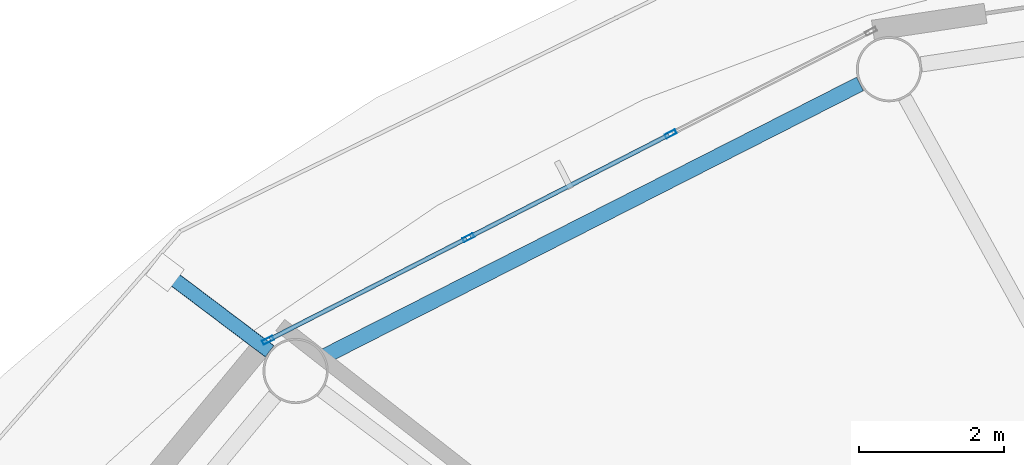
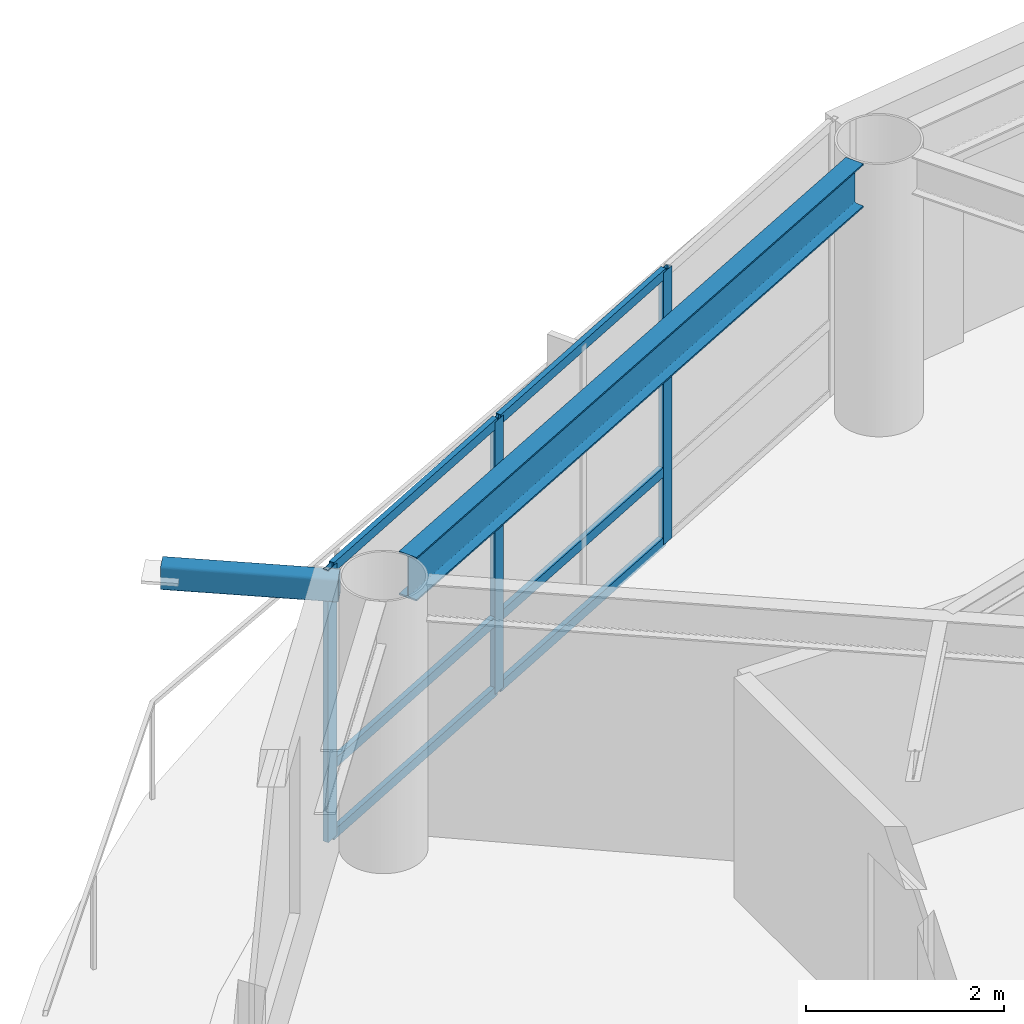
# One storey, part 8 of 23: 10 members, 1 beam, 1 element without a shape of its own.
"""IFC4 building model written with IfcOpenShell, lengths in metres."""

from ifc_helpers import new_model, si_unit, direction, frame, origin, origin_2d, place, context, subcontext, project, spatial, hollow_rectangle, i_section, extrude, material, layer, layer_set, material_profile, profile_set, type_object, element, aggregate, save


model = new_model("IFC4")

# Units and contexts
model_context = context("Model", 3, precision=1e-05, world=origin(), true_north=direction((0.0, 1.0)))
body_context = subcontext(model_context, "Body", "Model", "MODEL_VIEW")
ifc_project = project(units=[si_unit("LENGTHUNIT", "METRE"), si_unit("AREAUNIT", "SQUARE_METRE"), si_unit("VOLUMEUNIT", "CUBIC_METRE"), si_unit("PLANEANGLEUNIT", "RADIAN"), si_unit("MASSUNIT", "GRAM", prefix="KILO")], contexts=[model_context])

# Site, building, storey
site_placement = place(None, origin())
site = spatial("IfcSite", under=ifc_project, at=site_placement, CompositionType="ELEMENT")
building_placement = place(site_placement, origin())
building = spatial("IfcBuilding", under=site, at=building_placement, Name="Sarneth Arch Tower", CompositionType="ELEMENT")
storey_placement = place(building_placement, frame((0.0, 0.0, 224.39990234375)))
storey = spatial("IfcBuildingStorey", under=building, at=storey_placement, Name="L57", CompositionType="ELEMENT", Elevation=224.39990234375)

# Beam
ifc_material_1 = material(Name="Steel S355", Category="steel")
ifc_material_profile_1 = material_profile(ifc_material_1, i_section(OverallWidth=0.2109375, OverallDepth=0.5390625, WebThickness=0.01171875, FlangeThickness=0.018798828125, FilletRadius=0.01806640625, at=origin_2d()), Name="W530x109")
ifc_profile_set_1 = profile_set([ifc_material_profile_1], Name="Steel S355")
beam_type = type_object("IfcBeamType", Name="BM-RAD-530B", PredefinedType="BEAM", material=ifc_profile_set_1)
beam_placement = place(storey_placement, frame((37.80810546875, 59.534423828125, 3.090576171875), z_axis=(-0.891376248079, -0.453264144138, 0.0), x_axis=(0.453264144138, -0.891376248079, 0.0)))
element("IfcBeam", 1, at=beam_placement, inside=storey, type_object=beam_type, Name="L57 Perimeter spandrel beam 06", PredefinedType="BEAM", context=body_context, shape_type="SweptSolid", body=[
    extrude(i_section(OverallWidth=0.2109375, OverallDepth=0.5390625, WebThickness=0.01171875, FlangeThickness=0.018798828125, FilletRadius=0.01806640625, at=origin_2d()), origin(), (0.0, 0.0, 1.0), 8.281982421875),
])

# Curtain wall, members
ifc_material_2 = material(Name="Anodised aluminium Type AA25 and solar-control low-e laminated IGU", Category="aluminium")
ifc_layer = layer(ifc_material_2, 0.179931640625)
ifc_layer_set = layer_set([ifc_layer], Name="Anodised aluminium Type AA25 and solar-control low-e laminated IGU")
curtain_wall_type = type_object("IfcCurtainWallType", Name="CW-RES-HIGH", PredefinedType="NOTDEFINED", material=ifc_layer_set)
curtain_wall_placement = place(storey_placement, origin())
curtain_wall = element("IfcCurtainWall", 2, at=curtain_wall_placement, inside=storey, type_object=curtain_wall_type, Name="L57 Unitised curtain wall facet 06", PredefinedType="NOTDEFINED")
ifc_material_3 = material(Name="Anodised Aluminium 6063-T6", Category="aluminium")
ifc_material_profile_2 = material_profile(ifc_material_3, hollow_rectangle(XDim=0.06005859375, YDim=0.159912109375, WallThickness=0.00390625, at=origin_2d()), Name="AL-MULL-160x60x4")
ifc_profile_set_2 = profile_set([ifc_material_profile_2], Name="Anodised Aluminium 6063-T6")
member_type_1 = type_object("IfcMemberType", Name="CW-MULLION", PredefinedType="MULLION", material=ifc_profile_set_2)
member_1_placement = place(storey_placement, frame((35.197509765625, 58.844970703125, 0.0), z_axis=(0.0, 0.0, 1.0), x_axis=(0.455941901753, -0.890009540525, 0.0)))
member_1 = element("IfcMember", 3, at=member_1_placement, type_object=member_type_1, Name="CW-SYS-6 mullion 2", PredefinedType="MULLION", context=body_context, shape_type="SweptSolid", body=[
    extrude(hollow_rectangle(XDim=0.06005859375, YDim=0.159912109375, WallThickness=0.00390625, at=origin_2d()), origin(), (0.0, 0.0, 1.0), 3.360107421875),
])
member_2_placement = place(storey_placement, frame((32.407470703125, 57.415771484375, 0.0), z_axis=(0.0, 0.0, 1.0), x_axis=(0.455941901753, -0.890009540525, 0.0)))
member_2 = element("IfcMember", 4, at=member_2_placement, type_object=member_type_1, Name="CW-SYS-6 mullion 3", PredefinedType="MULLION", context=body_context, shape_type="SweptSolid", body=[
    extrude(hollow_rectangle(XDim=0.06005859375, YDim=0.159912109375, WallThickness=0.00390625, at=origin_2d()), origin(), (0.0, 0.0, 1.0), 3.360107421875),
])
member_3_placement = place(storey_placement, frame((29.644287109375, 56.000244140625, 0.0), z_axis=(0.0, 0.0, 1.0), x_axis=(0.455941901753, -0.890009540525, 0.0)))
member_3 = element("IfcMember", 5, at=member_3_placement, type_object=member_type_1, Name="CW-SYS-6 mullion 4", PredefinedType="MULLION", context=body_context, shape_type="SweptSolid", body=[
    extrude(hollow_rectangle(XDim=0.06005859375, YDim=0.159912109375, WallThickness=0.00390625, at=origin_2d()), origin(), (0.0, 0.0, 1.0), 3.360107421875),
])
ifc_material_4 = material(Name="Anodised Aluminium 6063-T6", Category="aluminium")
ifc_material_profile_3 = material_profile(ifc_material_4, hollow_rectangle(XDim=0.06005859375, YDim=0.1201171875, WallThickness=0.00390625, at=origin_2d()), Name="AL-TRAN-120x60x4")
ifc_profile_set_3 = profile_set([ifc_material_profile_3], Name="Anodised Aluminium 6063-T6")
member_type_2 = type_object("IfcMemberType", Name="CW-TRANSOM", PredefinedType="USERDEFINED", material=ifc_profile_set_3)
member_4_placement = place(storey_placement, frame((35.170654296875, 58.831298828125, 0.030029296875), z_axis=(-0.890017432405, -0.455926496286, 0.0), x_axis=(0.455926496286, -0.890017432405, 0.0)))
member_4 = element("IfcMember", 6, at=member_4_placement, type_object=member_type_2, Name="CW-SYS-6 transom 2.1", ObjectType="TRANSOM", PredefinedType="USERDEFINED", context=body_context, shape_type="SweptSolid", body=[
    extrude(hollow_rectangle(XDim=0.06005859375, YDim=0.1201171875, WallThickness=0.00390625, at=origin_2d()), origin(), (0.0, 0.0, 1.0), 3.07470703125),
])
member_5_placement = place(storey_placement, frame((35.170654296875, 58.831298828125, 0.900146484375), z_axis=(-0.890017432405, -0.455926496286, 0.0), x_axis=(0.455926496286, -0.890017432405, 0.0)))
member_5 = element("IfcMember", 7, at=member_5_placement, type_object=member_type_2, Name="CW-SYS-6 transom 2.2", ObjectType="TRANSOM", PredefinedType="USERDEFINED", context=body_context, shape_type="SweptSolid", body=[
    extrude(hollow_rectangle(XDim=0.06005859375, YDim=0.1201171875, WallThickness=0.00390625, at=origin_2d()), origin(), (0.0, 0.0, 1.0), 3.07470703125),
])
member_6_placement = place(storey_placement, frame((35.170654296875, 58.831298828125, 3.330078125), z_axis=(-0.890017432405, -0.455926496286, 0.0), x_axis=(0.455926496286, -0.890017432405, 0.0)))
member_6 = element("IfcMember", 8, at=member_6_placement, type_object=member_type_2, Name="CW-SYS-6 transom 2.3", ObjectType="TRANSOM", PredefinedType="USERDEFINED", context=body_context, shape_type="SweptSolid", body=[
    extrude(hollow_rectangle(XDim=0.06005859375, YDim=0.1201171875, WallThickness=0.00390625, at=origin_2d()), origin(), (0.0, 0.0, 1.0), 3.07470703125),
])
member_7_placement = place(storey_placement, frame((32.380859375, 57.402099609375, 0.030029296875), z_axis=(-0.890022732705, -0.455916149384, 0.0), x_axis=(0.455916149384, -0.890022732705, 0.0)))
member_7 = element("IfcMember", 9, at=member_7_placement, type_object=member_type_2, Name="CW-SYS-6 transom 3.1", ObjectType="TRANSOM", PredefinedType="USERDEFINED", context=body_context, shape_type="SweptSolid", body=[
    extrude(hollow_rectangle(XDim=0.06005859375, YDim=0.1201171875, WallThickness=0.00390625, at=origin_2d()), origin(), (0.0, 0.0, 1.0), 3.044921875),
])
member_8_placement = place(storey_placement, frame((32.380859375, 57.402099609375, 0.900146484375), z_axis=(-0.890022732705, -0.455916149384, 0.0), x_axis=(0.455916149384, -0.890022732705, 0.0)))
member_8 = element("IfcMember", 10, at=member_8_placement, type_object=member_type_2, Name="CW-SYS-6 transom 3.2", ObjectType="TRANSOM", PredefinedType="USERDEFINED", context=body_context, shape_type="SweptSolid", body=[
    extrude(hollow_rectangle(XDim=0.06005859375, YDim=0.1201171875, WallThickness=0.00390625, at=origin_2d()), origin(), (0.0, 0.0, 1.0), 3.044921875),
])
member_9_placement = place(storey_placement, frame((32.380859375, 57.402099609375, 3.330078125), z_axis=(-0.890022732705, -0.455916149384, 0.0), x_axis=(0.455916149384, -0.890022732705, 0.0)))
member_9 = element("IfcMember", 11, at=member_9_placement, type_object=member_type_2, Name="CW-SYS-6 transom 3.3", ObjectType="TRANSOM", PredefinedType="USERDEFINED", context=body_context, shape_type="SweptSolid", body=[
    extrude(hollow_rectangle(XDim=0.06005859375, YDim=0.1201171875, WallThickness=0.00390625, at=origin_2d()), origin(), (0.0, 0.0, 1.0), 3.044921875),
])
aggregate(curtain_wall, [member_1, member_2, member_3, member_4, member_5, member_6, member_7, member_8, member_9])

# Member
ifc_material_5 = material(Name="Steel S355", Category="steel")
ifc_material_profile_4 = material_profile(ifc_material_5, hollow_rectangle(XDim=0.199951171875, YDim=0.300048828125, WallThickness=0.012451171875, InnerFilletRadius=0.018798828125, OuterFilletRadius=0.03125, at=origin_2d()), Name="RHS300x200x12.5")
ifc_profile_set_4 = profile_set([ifc_material_profile_4], Name="Steel S355")
member_type_3 = type_object("IfcMemberType", Name="MEM-CANT-STRUT", PredefinedType="STRUT", material=ifc_profile_set_4)
member_10_placement = place(storey_placement, frame((29.665771484375, 55.84765625, 3.2001953125), z_axis=(-0.798002943368, 0.60265355087, 0.0), x_axis=(-0.60265355087, -0.798002943368, 0.0)))
element("IfcMember", 12, at=member_10_placement, inside=storey, type_object=member_type_3, Name="L57 Balcony cantilever bracket 07", PredefinedType="STRUT", context=body_context, shape_type="SweptSolid", body=[
    extrude(hollow_rectangle(XDim=0.199951171875, YDim=0.300048828125, WallThickness=0.012451171875, InnerFilletRadius=0.018798828125, OuterFilletRadius=0.03125, at=origin_2d()), origin(), (0.0, 0.0, 1.0), 1.808349609375),
])

save(model, "model.ifc")
